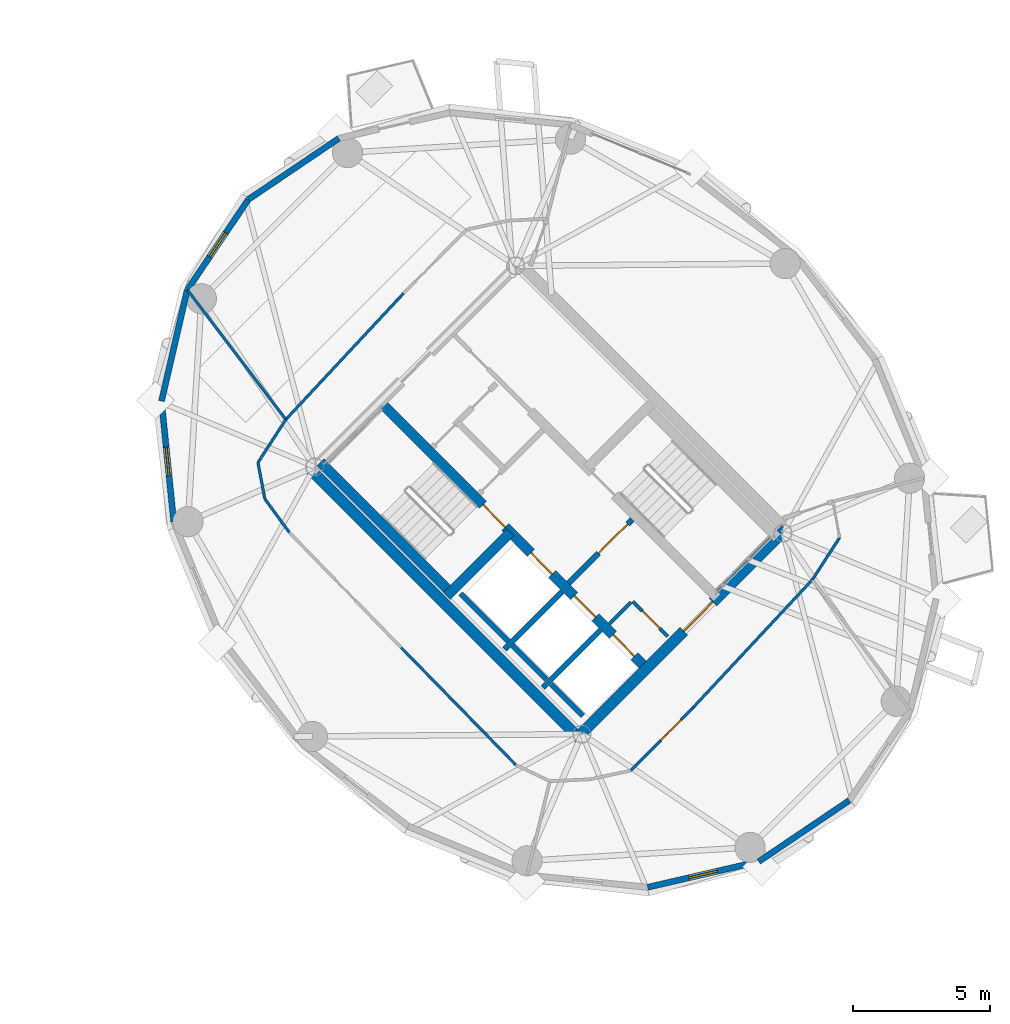
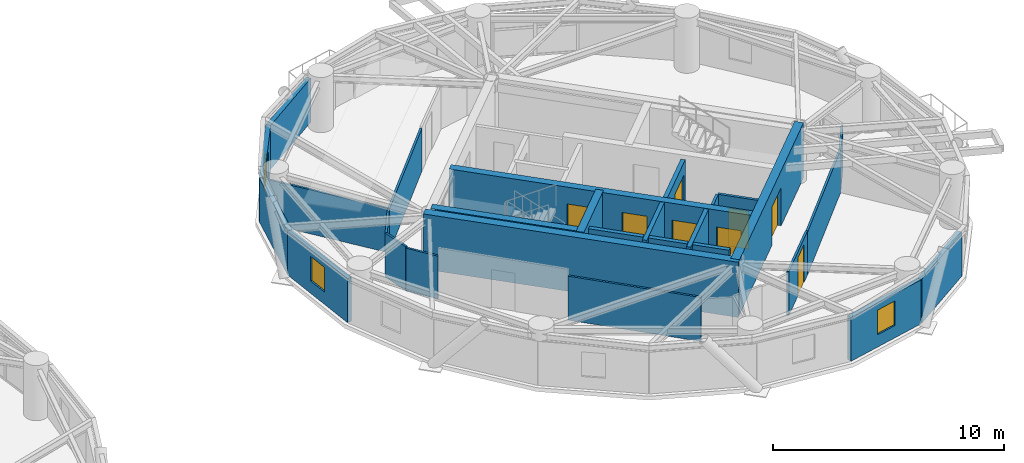
# One storey, part 11 of 16: 28 walls, 8 doors, 3 windows, 11 openings.
"""IFC4 building model written with IfcOpenShell, lengths in metres."""

from ifc_helpers import new_model, si_unit, direction, frame, frame_2d, origin, place, context, subcontext, project, spatial, rectangle, extrude, source, transform, mapped, material, layer, layer_set, type_object, element, fill, save


model = new_model("IFC4")

# Units and contexts
model_context = context("Model", 3, precision=1e-05, world=origin(), true_north=direction((0.0, 1.0)))
body_context = subcontext(model_context, "Body", "Model", "MODEL_VIEW")
ifc_project = project(units=[si_unit("LENGTHUNIT", "METRE"), si_unit("AREAUNIT", "SQUARE_METRE"), si_unit("VOLUMEUNIT", "CUBIC_METRE"), si_unit("PLANEANGLEUNIT", "RADIAN"), si_unit("MASSUNIT", "GRAM", prefix="KILO")], contexts=[model_context])

# Site, building, storey
site_placement = place(None, origin())
site = spatial("IfcSite", under=ifc_project, at=site_placement, CompositionType="ELEMENT")
building_placement = place(site_placement, origin())
building = spatial("IfcBuilding", under=site, at=building_placement, Name="Cununo Teusaquillo Station Towers", CompositionType="ELEMENT")
storey_placement = place(building_placement, frame((0.0, 0.0, 196.659912109375)))
storey = spatial("IfcBuildingStorey", under=building, at=storey_placement, Name="L62", CompositionType="ELEMENT", Elevation=196.659912109375)

# Walls
ifc_material_1 = material(Name="Concrete C50/60", Category="concrete")
ifc_layer_1 = layer(ifc_material_1, 0.199951171875)
ifc_layer_set_1 = layer_set([ifc_layer_1], Name="Concrete C50/60")
wall_type_1 = type_object("IfcWallType", Name="WL-CORE-200", PredefinedType="SHEAR", material=ifc_layer_set_1)
wall_1_placement = place(storey_placement, frame((55.8876953125, 19.0693359375, 0.0), z_axis=(0.0, 0.0, 1.0), x_axis=(0.707106781187, 0.707106781187, 0.0)))
element("IfcWall", 1, at=wall_1_placement, inside=storey, type_object=wall_type_1, Name="L62 Tower B Firefighting Lift Shaft South Shear Wall", PredefinedType="SHEAR", context=body_context, shape_type="SweptSolid", body=[
    extrude(rectangle(XDim=2.969970703125, YDim=0.199951171875, at=frame_2d((1.48486328125, 0.0))), origin(), (0.0, 0.0, 1.0), 2.91015625),
])
wall_2_placement = place(storey_placement, frame((56.01513671875, 19.366455078125, 0.0), z_axis=(0.0, 0.0, 1.0), x_axis=(-0.707106781187, 0.707106781187, 0.0)))
element("IfcWall", 2, at=wall_2_placement, inside=storey, type_object=wall_type_1, Name="L62 Tower B Firefighting Lift Shaft Rear Shear Wall", PredefinedType="SHEAR", context=body_context, shape_type="SweptSolid", body=[
    extrude(rectangle(XDim=2.43994140625, YDim=0.199951171875, at=frame_2d((1.219970703125, 0.0))), origin(), (0.0, 0.0, 1.0), 2.91015625),
])
wall_3_placement = place(storey_placement, frame((57.2841796875, 17.6728515625, 0.0), z_axis=(0.0, 0.0, 1.0), x_axis=(0.707147878904, 0.70706568108, 0.0)))
element("IfcWall", 3, at=wall_3_placement, inside=storey, type_object=wall_type_1, Name="L62 Tower B High-Rise Lift Hoistway Divider Shear Wall", PredefinedType="SHEAR", context=body_context, shape_type="SweptSolid", body=[
    extrude(rectangle(XDim=2.97021484375, YDim=0.199951171875, at=frame_2d((1.485107421875, 0.0))), origin(), (0.0, 0.0, 1.0), 2.91015625),
])
wall_4_placement = place(storey_placement, frame((57.41162109375, 17.969970703125, 0.0), z_axis=(0.0, 0.0, 1.0), x_axis=(-0.707106781187, 0.707106781187, 0.0)))
element("IfcWall", 4, at=wall_4_placement, inside=storey, type_object=wall_type_1, Name="L62 Tower B High-Rise Lift 2 Shaft Rear Shear Wall", PredefinedType="SHEAR", context=body_context, shape_type="SweptSolid", body=[
    extrude(rectangle(XDim=1.73486328125, YDim=0.199951171875, at=frame_2d((0.867431640625, 0.0))), origin(), (0.0, 0.0, 1.0), 2.91015625),
])
wall_5_placement = place(storey_placement, frame((58.7373046875, 16.64404296875, 0.0), z_axis=(0.0, 0.0, 1.0), x_axis=(-0.707032117043, 0.707181437447, 0.0)))
element("IfcWall", 5, at=wall_5_placement, inside=storey, type_object=wall_type_1, Name="L62 Tower B High-Rise Lift 1 Shaft Rear Shear Wall", PredefinedType="SHEAR", context=body_context, shape_type="SweptSolid", body=[
    extrude(rectangle(XDim=1.635009765625, YDim=0.199951171875, at=frame_2d((0.8173828125, 0.0))), origin(), (0.0, 0.0, 1.0), 2.91015625),
])

# Wall, openings, doors
ifc_material_2 = material(Name="Concrete C50/60", Category="concrete")
ifc_layer_2 = layer(ifc_material_2, 0.35009765625)
ifc_layer_set_2 = layer_set([ifc_layer_2], Name="Concrete C50/60")
wall_type_2 = type_object("IfcWallType", Name="WL-CORE-350", PredefinedType="SHEAR", material=ifc_layer_set_2)
wall_6_placement = place(storey_placement, frame((61.060302734375, 18.372802734375, 0.0), z_axis=(0.0, 0.0, 1.0), x_axis=(-0.707106781187, 0.707106781187, 0.0)))
wall_6 = element("IfcWall", 6, at=wall_6_placement, inside=storey, type_object=wall_type_2, Name="L62 Tower B Core Shear Wall IW", PredefinedType="SHEAR", context=body_context, shape_type="SweptSolid", body=[
    extrude(rectangle(XDim=13.7001953125, YDim=0.35009765625, at=frame_2d((6.85009765625, 0.0))), origin(), (0.0, 0.0, 1.0), 2.91015625),
])
shared_shape_1 = source(origin(), body_context, "Body", "SweptSolid", [
    extrude(rectangle(XDim=1.10009765625, YDim=2.014892578125, at=frame_2d((0.550048828125, 1.00732421875))), frame((0.0, 0.18505859375, 0.0), z_axis=(0.0, -1.0, 0.0), x_axis=(1.0, 0.0, 0.0)), (0.0, 0.0, 1.0), 0.3701171875),
])
opening_1_placement = place(wall_6_placement, frame((4.85009765625, 0.0, 0.0)))
opening_1 = element("IfcOpeningElement", 7, at=opening_1_placement, cuts=wall_6, Name="Opening LD-01", PredefinedType="OPENING", context=body_context, shape_type="MappedRepresentation", body=[
    mapped(shared_shape_1, transform((0.0, 0.0, 0.0), x_axis=(1.0, 0.0, 0.0), y_axis=(0.0, 1.0, 0.0), z_axis=(0.0, 0.0, 1.0), scale=1.0)),
])
opening_2_placement = place(wall_6_placement, frame((0.625, 0.0, 0.0)))
opening_2 = element("IfcOpeningElement", 8, at=opening_2_placement, cuts=wall_6, Name="Opening LD-01", PredefinedType="OPENING", context=body_context, shape_type="MappedRepresentation", body=[
    mapped(shared_shape_1, transform((0.0, 0.0, 0.0), x_axis=(1.0, 0.0, 0.0), y_axis=(0.0, 1.0, 0.0), z_axis=(0.0, 0.0, 1.0), scale=1.0)),
])
opening_3_placement = place(wall_6_placement, frame((2.625, 0.0, 0.0)))
opening_3 = element("IfcOpeningElement", 9, at=opening_3_placement, cuts=wall_6, Name="Opening LD-01", PredefinedType="OPENING", context=body_context, shape_type="MappedRepresentation", body=[
    mapped(shared_shape_1, transform((0.0, 0.0, 0.0), x_axis=(1.0, 0.0, 0.0), y_axis=(0.0, 1.0, 0.0), z_axis=(0.0, 0.0, 1.0), scale=1.0)),
])
shared_shape_2 = source(origin(), body_context, "Body", "SweptSolid", [
    extrude(rectangle(XDim=1.14990234375, YDim=2.02001953125, at=frame_2d((0.574951171875, 1.010009765625))), frame((0.0, 0.18505859375, 0.0), z_axis=(0.0, -1.0, 0.0), x_axis=(1.0, 0.0, 0.0)), (0.0, 0.0, 1.0), 0.3701171875),
])
opening_4_placement = place(wall_6_placement, frame((7.27001953125, 0.0, 0.0)))
opening_4 = element("IfcOpeningElement", 10, at=opening_4_placement, cuts=wall_6, Name="Opening D-ST1", PredefinedType="OPENING", context=body_context, shape_type="MappedRepresentation", body=[
    mapped(shared_shape_2, transform((0.0, 0.0, 0.0), x_axis=(1.0, 0.0, 0.0), y_axis=(0.0, 1.0, 0.0), z_axis=(0.0, 0.0, 1.0), scale=1.0)),
])
ifc_material_3 = material(Name="Galvanised fire-rated hollow steel door assembly", Category="steel")
door_type_1 = type_object("IfcDoorType", Name="DR-LIFT-1100", OperationType="SLIDING_TO_LEFT", PredefinedType="DOOR", material=ifc_material_3)
shared_shape_3 = source(origin(), body_context, "Body", "SweptSolid", [
    extrude(rectangle(XDim=1.10009765625, YDim=2.014892578125, at=frame_2d((0.550048828125, 1.00732421875))), frame((0.0, 0.02490234375, 0.0), z_axis=(0.0, -1.0, 0.0), x_axis=(1.0, 0.0, 0.0)), (0.0, 0.0, 1.0), 0.050048828125),
])
door_1_placement = place(opening_1_placement, origin())
door_1 = element("IfcDoor", 11, at=door_1_placement, inside=storey, type_object=door_type_1, Name="L62 Lift FL-T2 Sliding Landing Door", OperationType="SLIDING_TO_RIGHT", OverallHeight=2.014892578125, OverallWidth=1.10009765625, PredefinedType="DOOR", context=body_context, shape_type="MappedRepresentation", body=[
    mapped(shared_shape_3, transform((0.0, 0.0, 0.0), x_axis=(1.0, 0.0, 0.0), y_axis=(0.0, 1.0, 0.0), z_axis=(0.0, 0.0, 1.0), scale=1.0)),
])
fill(opening_1, door_1)
door_2_placement = place(opening_2_placement, origin())
door_2 = element("IfcDoor", 12, at=door_2_placement, inside=storey, type_object=door_type_1, Name="L62 Lift PL-T2-H1 Sliding Landing Door", OperationType="SLIDING_TO_RIGHT", OverallHeight=2.014892578125, OverallWidth=1.10009765625, PredefinedType="DOOR", context=body_context, shape_type="MappedRepresentation", body=[
    mapped(shared_shape_3, transform((0.0, 0.0, 0.0), x_axis=(1.0, 0.0, 0.0), y_axis=(0.0, 1.0, 0.0), z_axis=(0.0, 0.0, 1.0), scale=1.0)),
])
fill(opening_2, door_2)
door_3_placement = place(opening_3_placement, origin())
door_3 = element("IfcDoor", 13, at=door_3_placement, inside=storey, type_object=door_type_1, Name="L62 Lift PL-T2-H2 Sliding Landing Door", OperationType="SLIDING_TO_LEFT", OverallHeight=2.014892578125, OverallWidth=1.10009765625, PredefinedType="DOOR", context=body_context, shape_type="MappedRepresentation", body=[
    mapped(shared_shape_3, transform((0.0, 0.0, 0.0), x_axis=(1.0, 0.0, 0.0), y_axis=(0.0, 1.0, 0.0), z_axis=(0.0, 0.0, 1.0), scale=1.0)),
])
fill(opening_3, door_3)
ifc_material_4 = material(Name="Galvanised fire-rated hollow steel door assembly", Category="steel")
door_type_2 = type_object("IfcDoorType", Name="DR-STAIR-1150", OperationType="NOTDEFINED", PredefinedType="DOOR", material=ifc_material_4)
shared_shape_4 = source(origin(), body_context, "Body", "SweptSolid", [
    extrude(rectangle(XDim=1.14990234375, YDim=2.02001953125, at=frame_2d((0.574951171875, 1.010009765625))), frame((0.0, 0.02490234375, 0.0), z_axis=(0.0, -1.0, 0.0), x_axis=(1.0, 0.0, 0.0)), (0.0, 0.0, 1.0), 0.050048828125),
])
door_4_placement = place(opening_4_placement, origin())
door_4 = element("IfcDoor", 14, at=door_4_placement, inside=storey, type_object=door_type_2, Name="L62 Tower B Exit Stair 1 Fire Door", OperationType="SINGLE_SWING_LEFT", OverallHeight=2.02001953125, OverallWidth=1.14990234375, PredefinedType="DOOR", context=body_context, shape_type="MappedRepresentation", body=[
    mapped(shared_shape_4, transform((0.0, 0.0, 0.0), x_axis=(1.0, 0.0, 0.0), y_axis=(0.0, 1.0, 0.0), z_axis=(0.0, 0.0, 1.0), scale=1.0)),
])
fill(opening_4, door_4)

# Walls
wall_7_placement = place(storey_placement, frame((53.922119140625, 21.14111328125, 0.0), z_axis=(0.0, 0.0, 1.0), x_axis=(-0.707106781187, 0.707106781187, 0.0)))
element("IfcWall", 15, at=wall_7_placement, inside=storey, type_object=wall_type_2, Name="L62 Tower B Core Shear Wall ST1W", PredefinedType="SHEAR", context=body_context, shape_type="SweptSolid", body=[
    extrude(rectangle(XDim=6.695068359375, YDim=0.35009765625, at=frame_2d((3.34765625, 0.0))), origin(), (0.0, 0.0, 1.0), 2.91015625),
])
wall_8_placement = place(storey_placement, frame((53.7841796875, 21.00341796875, 0.0), z_axis=(0.0, 0.0, 1.0), x_axis=(0.707106781187, 0.707106781187, 0.0)))
element("IfcWall", 16, at=wall_8_placement, inside=storey, type_object=wall_type_2, Name="L62 Tower B Core Shear Wall ST1S", PredefinedType="SHEAR", context=body_context, shape_type="SweptSolid", body=[
    extrude(rectangle(XDim=3.284912109375, YDim=0.35009765625, at=frame_2d((1.642578125, 0.0))), origin(), (0.0, 0.0, 1.0), 2.91015625),
])
ifc_material_5 = material(Name="Concrete C50/60", Category="concrete")
ifc_layer_3 = layer(ifc_material_5, 0.39990234375)
ifc_layer_set_3 = layer_set([ifc_layer_3], Name="Concrete C50/60")
wall_type_3 = type_object("IfcWallType", Name="WL-CORE-400", PredefinedType="SHEAR", material=ifc_layer_set_3)
wall_9_placement = place(storey_placement, frame((58.7021484375, 15.73193359375, 0.0), z_axis=(0.0, 0.0, 1.0), x_axis=(-0.707106781187, 0.707106781187, 0.0)))
element("IfcWall", 17, at=wall_9_placement, inside=storey, type_object=wall_type_3, Name="L62 Tower B Core Shear Wall W", PredefinedType="SHEAR", context=body_context, shape_type="SweptSolid", body=[
    extrude(rectangle(XDim=14.10009765625, YDim=0.39990234375, at=frame_2d((7.050048828125, 0.0))), origin(), (0.0, 0.0, 1.0), 2.91015625),
])

# Wall, opening, door
wall_10_placement = place(storey_placement, frame((58.560791015625, 15.873291015625, 0.0), z_axis=(0.0, 0.0, 1.0), x_axis=(0.707106781187, 0.707106781187, 0.0)))
wall_10 = element("IfcWall", 18, at=wall_10_placement, inside=storey, type_object=wall_type_3, Name="L62 Tower B Core Shear Wall S", PredefinedType="SHEAR", context=body_context, shape_type="SweptSolid", body=[
    extrude(rectangle(XDim=10.69970703125, YDim=0.39990234375, at=frame_2d((5.349853515625, 0.0))), origin(), (0.0, 0.0, 1.0), 2.91015625),
])
shared_shape_5 = source(origin(), body_context, "Body", "SweptSolid", [
    extrude(rectangle(XDim=1.5, YDim=2.02001953125, at=frame_2d((0.75, 1.010009765625))), frame((0.0, 0.2099609375, 0.0), z_axis=(0.0, -1.0, 0.0), x_axis=(1.0, 0.0, 0.0)), (0.0, 0.0, 1.0), 0.419921875),
])
opening_5_placement = place(wall_10_placement, frame((5.449951171875, 0.0, 0.0)))
opening_5 = element("IfcOpeningElement", 19, at=opening_5_placement, cuts=wall_10, Name="Opening D-LB1", PredefinedType="OPENING", context=body_context, shape_type="MappedRepresentation", body=[
    mapped(shared_shape_5, transform((0.0, 0.0, 0.0), x_axis=(1.0, 0.0, 0.0), y_axis=(0.0, 1.0, 0.0), z_axis=(0.0, 0.0, 1.0), scale=1.0)),
])
ifc_material_6 = material(Name="Galvanised fire-rated hollow steel door assembly", Category="steel")
door_type_3 = type_object("IfcDoorType", Name="DR-LOBBY-1500", OperationType="DOUBLE_DOOR_SINGLE_SWING", PredefinedType="DOOR", material=ifc_material_6)
shared_shape_6 = source(origin(), body_context, "Body", "SweptSolid", [
    extrude(rectangle(XDim=1.5, YDim=2.02001953125, at=frame_2d((0.75, 1.010009765625))), frame((0.0, 0.02490234375, 0.0), z_axis=(0.0, -1.0, 0.0), x_axis=(1.0, 0.0, 0.0)), (0.0, 0.0, 1.0), 0.050048828125),
])
door_5_placement = place(opening_5_placement, origin())
door_5 = element("IfcDoor", 20, at=door_5_placement, inside=storey, type_object=door_type_3, Name="L62 Tower B South Core Lift Lobby Door", OperationType="DOUBLE_DOOR_SINGLE_SWING", OverallHeight=2.02001953125, OverallWidth=1.5, PredefinedType="DOOR", context=body_context, shape_type="MappedRepresentation", body=[
    mapped(shared_shape_6, transform((0.0, 0.0, 0.0), x_axis=(1.0, 0.0, 0.0), y_axis=(0.0, 1.0, 0.0), z_axis=(0.0, 0.0, 1.0), scale=1.0)),
])
fill(opening_5, door_5)

# Wall
ifc_material_7 = material(Name="Precast concrete C40/50", Category="concrete")
ifc_layer_4 = layer(ifc_material_7, 0.219970703125)
ifc_layer_set_4 = layer_set([ifc_layer_4], Name="Precast concrete C40/50")
wall_type_4 = type_object("IfcWallType", Name="WL-EXT-220", PredefinedType="SOLIDWALL", material=ifc_layer_set_4)
wall_11_placement = place(storey_placement, frame((46.56103515625, 35.43896484375, 0.0), z_axis=(0.0, 0.0, 1.0), x_axis=(0.828833723692, 0.559495003079, 0.0)))
element("IfcWall", 21, at=wall_11_placement, inside=storey, type_object=wall_type_4, Name="L62 Tower B Exterior Facade Wall C04", PredefinedType="SOLIDWALL", context=body_context, shape_type="SweptSolid", body=[
    extrude(rectangle(XDim=3.9755859375, YDim=0.219970703125, at=frame_2d((1.98779296875, 0.0))), origin(), (0.0, 0.0, 1.0), 2.322021484375),
])

# Wall, opening, window
wall_12_placement = place(storey_placement, frame((44.336669921875, 32.143798828125, 0.0), z_axis=(0.0, 0.0, 1.0), x_axis=(0.559495003079, 0.828833723692, 0.0)))
wall_12 = element("IfcWall", 22, at=wall_12_placement, inside=storey, type_object=wall_type_4, Name="L62 Tower B Exterior Facade Wall C05", PredefinedType="SOLIDWALL", context=body_context, shape_type="SweptSolid", body=[
    extrude(rectangle(XDim=3.9755859375, YDim=0.219970703125, at=frame_2d((1.98779296875, 0.0))), origin(), (0.0, 0.0, 1.0), 2.322021484375),
])
shared_shape_7 = source(origin(), body_context, "Body", "SweptSolid", [
    extrude(rectangle(XDim=1.050048828125, YDim=1.300048828125, at=frame_2d((0.52490234375, 0.64990234375))), frame((0.0, 0.119873046875, 0.0), z_axis=(0.0, -1.0, 0.0), x_axis=(1.0, 0.0, 0.0)), (0.0, 0.0, 1.0), 0.239990234375),
])
opening_6_placement = place(wall_12_placement, frame((1.462890625, 0.0, 0.64990234375)))
opening_6 = element("IfcOpeningElement", 23, at=opening_6_placement, cuts=wall_12, Name="Opening WN-04", PredefinedType="OPENING", context=body_context, shape_type="MappedRepresentation", body=[
    mapped(shared_shape_7, transform((0.0, 0.0, 0.0), x_axis=(1.0, 0.0, 0.0), y_axis=(0.0, 1.0, 0.0), z_axis=(0.0, 0.0, 1.0), scale=1.0)),
])
ifc_material_8 = material(Name="Operable acoustic tinted low-E double glazing", Category="glass")
window_type = type_object("IfcWindowType", Name="WIN-BAL-1050", PartitioningType="SINGLE_PANEL", PredefinedType="WINDOW", material=ifc_material_8)
shared_shape_8 = source(origin(), body_context, "Body", "SweptSolid", [
    extrude(rectangle(XDim=1.050048828125, YDim=1.300048828125, at=frame_2d((0.52490234375, 0.64990234375))), frame((0.0, 0.030029296875, 0.0), z_axis=(0.0, -1.0, 0.0), x_axis=(1.0, 0.0, 0.0)), (0.0, 0.0, 1.0), 0.06005859375),
])
window_1_placement = place(opening_6_placement, origin())
window_1 = element("IfcWindow", 24, at=window_1_placement, inside=storey, type_object=window_type, Name="L62 Tower B Facade Window C05", OverallHeight=1.300048828125, OverallWidth=1.050048828125, PartitioningType="SINGLE_PANEL", PredefinedType="WINDOW", context=body_context, shape_type="MappedRepresentation", body=[
    mapped(shared_shape_8, transform((0.0, 0.0, 0.0), x_axis=(1.0, 0.0, 0.0), y_axis=(0.0, 1.0, 0.0), z_axis=(0.0, 0.0, 1.0), scale=1.0)),
])
fill(opening_6, window_1)

# Wall
wall_13_placement = place(storey_placement, frame((43.40087890625, 28.100341796875, 0.0), z_axis=(0.0, 0.0, 1.0), x_axis=(0.225473813158, 0.974249228678, 0.0)))
element("IfcWall", 25, at=wall_13_placement, inside=storey, type_object=wall_type_4, Name="L62 Tower B Exterior Facade Wall C06", PredefinedType="SOLIDWALL", context=body_context, shape_type="SweptSolid", body=[
    extrude(rectangle(XDim=4.150390625, YDim=0.219970703125, at=frame_2d((2.0751953125, 0.0))), origin(), (0.0, 0.0, 1.0), 2.322021484375),
])

# Wall, opening, window
wall_14_placement = place(storey_placement, frame((43.84521484375, 23.70458984375, 0.0), z_axis=(0.0, 0.0, 1.0), x_axis=(-0.100570534541, 0.994929930991, 0.0)))
wall_14 = element("IfcWall", 26, at=wall_14_placement, inside=storey, type_object=wall_type_4, Name="L62 Tower B Exterior Facade Wall C07", PredefinedType="SOLIDWALL", context=body_context, shape_type="SweptSolid", body=[
    extrude(rectangle(XDim=4.418212890625, YDim=0.219970703125, at=frame_2d((2.208984375, 0.0))), origin(), (0.0, 0.0, 1.0), 2.322021484375),
])
opening_7_placement = place(wall_14_placement, frame((1.68408203125, 0.0, 0.64990234375)))
opening_7 = element("IfcOpeningElement", 27, at=opening_7_placement, cuts=wall_14, Name="Opening WN-04", PredefinedType="OPENING", context=body_context, shape_type="MappedRepresentation", body=[
    mapped(shared_shape_7, transform((0.0, 0.0, 0.0), x_axis=(1.0, 0.0, 0.0), y_axis=(0.0, 1.0, 0.0), z_axis=(0.0, 0.0, 1.0), scale=1.0)),
])
window_2_placement = place(opening_7_placement, origin())
window_2 = element("IfcWindow", 28, at=window_2_placement, inside=storey, type_object=window_type, Name="L62 Tower B Facade Window C07", OverallHeight=1.300048828125, OverallWidth=1.050048828125, PartitioningType="SINGLE_PANEL", PredefinedType="WINDOW", context=body_context, shape_type="MappedRepresentation", body=[
    mapped(shared_shape_8, transform((0.0, 0.0, 0.0), x_axis=(1.0, 0.0, 0.0), y_axis=(0.0, 1.0, 0.0), z_axis=(0.0, 0.0, 1.0), scale=1.0)),
])
fill(opening_7, window_2)

wall_15_placement = place(storey_placement, frame((65.143798828125, 11.336669921875, 0.0), z_axis=(0.0, 0.0, 1.0), x_axis=(-0.974249228678, -0.225473813158, 0.0)))
wall_15 = element("IfcWall", 29, at=wall_15_placement, inside=storey, type_object=wall_type_4, Name="L62 Tower B Exterior Facade Wall C13", PredefinedType="SOLIDWALL", context=body_context, shape_type="SweptSolid", body=[
    extrude(rectangle(XDim=4.150390625, YDim=0.219970703125, at=frame_2d((2.0751953125, 0.0))), origin(), (0.0, 0.0, 1.0), 2.322021484375),
])
opening_8_placement = place(wall_15_placement, frame((1.550048828125, 0.0, 0.64990234375)))
opening_8 = element("IfcOpeningElement", 30, at=opening_8_placement, cuts=wall_15, Name="Opening WN-04", PredefinedType="OPENING", context=body_context, shape_type="MappedRepresentation", body=[
    mapped(shared_shape_7, transform((0.0, 0.0, 0.0), x_axis=(1.0, 0.0, 0.0), y_axis=(0.0, 1.0, 0.0), z_axis=(0.0, 0.0, 1.0), scale=1.0)),
])
window_3_placement = place(opening_8_placement, origin())
window_3 = element("IfcWindow", 31, at=window_3_placement, inside=storey, type_object=window_type, Name="L62 Tower B Facade Window C13", OverallHeight=1.300048828125, OverallWidth=1.050048828125, PartitioningType="SINGLE_PANEL", PredefinedType="WINDOW", context=body_context, shape_type="MappedRepresentation", body=[
    mapped(shared_shape_8, transform((0.0, 0.0, 0.0), x_axis=(1.0, 0.0, 0.0), y_axis=(0.0, 1.0, 0.0), z_axis=(0.0, 0.0, 1.0), scale=1.0)),
])
fill(opening_8, window_3)

# Walls
wall_16_placement = place(storey_placement, frame((68.43896484375, 13.56103515625, 0.0), z_axis=(0.0, 0.0, 1.0), x_axis=(-0.828833723692, -0.559495003079, 0.0)))
element("IfcWall", 32, at=wall_16_placement, inside=storey, type_object=wall_type_4, Name="L62 Tower B Exterior Facade Wall C14", PredefinedType="SOLIDWALL", context=body_context, shape_type="SweptSolid", body=[
    extrude(rectangle(XDim=3.9755859375, YDim=0.219970703125, at=frame_2d((1.98779296875, 0.0))), origin(), (0.0, 0.0, 1.0), 2.322021484375),
])
ifc_material_9 = material(Name="Fire-rated gypsum plasterboard partition assembly", Category="gypsum")
ifc_layer_5 = layer(ifc_material_9, 0.10009765625)
ifc_layer_set_5 = layer_set([ifc_layer_5], Name="Fire-rated gypsum plasterboard partition assembly")
wall_type_5 = type_object("IfcWallType", Name="WL-PART-100", PredefinedType="MOVABLE", material=ifc_layer_set_5)
wall_17_placement = place(storey_placement, frame((52.21240234375, 32.0244140625, 0.0), z_axis=(0.0, 0.0, 1.0), x_axis=(-0.682158998173, -0.731203871169, 0.0)))
element("IfcWall", 33, at=wall_17_placement, inside=storey, type_object=wall_type_5, Name="L62 Tower B Corridor Ring Wall C05", PredefinedType="MOVABLE", context=body_context, shape_type="SweptSolid", body=[
    extrude(rectangle(XDim=6.2822265625, YDim=0.10009765625, at=frame_2d((3.14111328125, 0.0))), origin(), (0.0, 0.0, 1.0), 2.255126953125),
])
wall_18_placement = place(storey_placement, frame((47.927001953125, 27.430908203125, 0.0), z_axis=(0.0, 0.0, 1.0), x_axis=(-0.543126643356, -0.839650790077, 0.0)))
element("IfcWall", 34, at=wall_18_placement, inside=storey, type_object=wall_type_5, Name="L62 Tower B Corridor Ring Wall C06", PredefinedType="MOVABLE", context=body_context, shape_type="SweptSolid", body=[
    extrude(rectangle(XDim=1.8681640625, YDim=0.10009765625, at=frame_2d((0.93408203125, 0.0))), origin(), (0.0, 0.0, 1.0), 2.255126953125),
])
wall_19_placement = place(storey_placement, frame((46.912353515625, 25.8623046875, 0.0), z_axis=(0.0, 0.0, 1.0), x_axis=(0.186095172215, -0.98253172309, 0.0)))
element("IfcWall", 35, at=wall_19_placement, inside=storey, type_object=wall_type_5, Name="L62 Tower B Corridor Ring Wall C07", PredefinedType="MOVABLE", context=body_context, shape_type="SweptSolid", body=[
    extrude(rectangle(XDim=1.345947265625, YDim=0.10009765625, at=frame_2d((0.6728515625, 0.0))), origin(), (0.0, 0.0, 1.0), 2.322021484375),
])
wall_20_placement = place(storey_placement, frame((47.162841796875, 24.539794921875, 0.0), z_axis=(0.0, 0.0, 1.0), x_axis=(0.589711902124, -0.807613690135, 0.0)))
element("IfcWall", 36, at=wall_20_placement, inside=storey, type_object=wall_type_5, Name="L62 Tower B Corridor Ring Wall C08", PredefinedType="MOVABLE", context=body_context, shape_type="SweptSolid", body=[
    extrude(rectangle(XDim=1.507080078125, YDim=0.10009765625, at=frame_2d((0.75341796875, 0.0))), origin(), (0.0, 0.0, 1.0), 2.255126953125),
])
wall_21_placement = place(storey_placement, frame((52.1259765625, 19.1259765625, 0.0), z_axis=(0.0, 0.0, 1.0), x_axis=(0.698979087027, -0.715142108884, 0.0)))
element("IfcWall", 37, at=wall_21_placement, inside=storey, type_object=wall_type_5, Name="L62 Tower B Corridor Ring Wall C10", PredefinedType="MOVABLE", context=body_context, shape_type="SweptSolid", body=[
    extrude(rectangle(XDim=5.96630859375, YDim=0.10009765625, at=frame_2d((2.983154296875, 0.0))), origin(), (0.0, 0.0, 1.0), 2.322021484375),
])

# Wall, opening, door
wall_22_placement = place(storey_placement, frame((60.48388671875, 14.6484375, 0.0), z_axis=(0.0, 0.0, 1.0), x_axis=(0.703398221944, 0.710795991383, 0.0)))
wall_22 = element("IfcWall", 38, at=wall_22_placement, inside=storey, type_object=wall_type_5, Name="L62 Tower B Corridor Ring Wall C14", PredefinedType="MOVABLE", context=body_context, shape_type="SweptSolid", body=[
    extrude(rectangle(XDim=3.201171875, YDim=0.10009765625, at=frame_2d((1.6005859375, 0.0))), origin(), (0.0, 0.0, 1.0), 2.322021484375),
])
shared_shape_9 = source(origin(), body_context, "Body", "SweptSolid", [
    extrude(rectangle(XDim=1.050048828125, YDim=2.014892578125, at=frame_2d((0.52490234375, 1.00732421875))), frame((0.0, 0.06005859375, 0.0), z_axis=(0.0, -1.0, 0.0), x_axis=(1.0, 0.0, 0.0)), (0.0, 0.0, 1.0), 0.1201171875),
])
opening_9_placement = place(wall_22_placement, frame((1.553466796875, 0.0, 0.0)))
opening_9 = element("IfcOpeningElement", 39, at=opening_9_placement, cuts=wall_22, Name="Opening D-SU1", PredefinedType="OPENING", context=body_context, shape_type="MappedRepresentation", body=[
    mapped(shared_shape_9, transform((0.0, 0.0, 0.0), x_axis=(1.0, 0.0, 0.0), y_axis=(0.0, 1.0, 0.0), z_axis=(0.0, 0.0, 1.0), scale=1.0)),
])
ifc_material_10 = material(Name="Acoustic solid-core hardwood leaf assembly", Category="wood")
door_type_4 = type_object("IfcDoorType", Name="DR-SUITE-1050", OperationType="NOTDEFINED", PredefinedType="DOOR", material=ifc_material_10)
shared_shape_10 = source(origin(), body_context, "Body", "SweptSolid", [
    extrude(rectangle(XDim=1.050048828125, YDim=2.014892578125, at=frame_2d((0.52490234375, 1.00732421875))), frame((0.0, 0.02490234375, 0.0), z_axis=(0.0, -1.0, 0.0), x_axis=(1.0, 0.0, 0.0)), (0.0, 0.0, 1.0), 0.050048828125),
])
door_6_placement = place(opening_9_placement, origin())
door_6 = element("IfcDoor", 40, at=door_6_placement, inside=storey, type_object=door_type_4, Name="L62 Tower B Summit Client Reception Salon Entrance Door", OperationType="SINGLE_SWING_RIGHT", OverallHeight=2.014892578125, OverallWidth=1.050048828125, PredefinedType="DOOR", context=body_context, shape_type="MappedRepresentation", body=[
    mapped(shared_shape_10, transform((0.0, 0.0, 0.0), x_axis=(1.0, 0.0, 0.0), y_axis=(0.0, 1.0, 0.0), z_axis=(0.0, 0.0, 1.0), scale=1.0)),
])
fill(opening_9, door_6)

# Walls
wall_23_placement = place(storey_placement, frame((62.735595703125, 16.923828125, 0.0), z_axis=(0.0, 0.0, 1.0), x_axis=(0.681946700833, 0.731401871219, 0.0)))
element("IfcWall", 41, at=wall_23_placement, inside=storey, type_object=wall_type_5, Name="L62 Tower B Corridor Ring Wall C15", PredefinedType="MOVABLE", context=body_context, shape_type="SweptSolid", body=[
    extrude(rectangle(XDim=6.392822265625, YDim=0.10009765625, at=frame_2d((3.1962890625, 0.0))), origin(), (0.0, 0.0, 1.0), 2.255126953125),
])
wall_24_placement = place(storey_placement, frame((67.09521484375, 21.599609375, 0.0), z_axis=(0.0, 0.0, 1.0), x_axis=(0.543773190184, 0.839232219137, 0.0)))
element("IfcWall", 42, at=wall_24_placement, inside=storey, type_object=wall_type_5, Name="L62 Tower B Corridor Ring Wall C16", PredefinedType="MOVABLE", context=body_context, shape_type="SweptSolid", body=[
    extrude(rectangle(XDim=1.82275390625, YDim=0.10009765625, at=frame_2d((0.911376953125, 0.0))), origin(), (0.0, 0.0, 1.0), 2.255126953125),
])
wall_25_placement = place(storey_placement, frame((47.927001953125, 27.430908203125, 0.0), z_axis=(0.0, 0.0, 1.0), x_axis=(-0.604823333103, 0.796359677366, 0.0)))
element("IfcWall", 43, at=wall_25_placement, inside=storey, type_object=wall_type_5, Name="L62 Tower B Radial Suite Partition R02", PredefinedType="MOVABLE", context=body_context, shape_type="SweptSolid", body=[
    extrude(rectangle(XDim=5.90673828125, YDim=0.10009765625, at=frame_2d((2.953369140625, 0.0))), origin(), (0.0, 0.0, 1.0), 2.322021484375),
])

# Wall, opening, door
ifc_material_11 = material(Name="Fire-rated gypsum plasterboard partition assembly", Category="gypsum")
ifc_layer_6 = layer(ifc_material_11, 0.125)
ifc_layer_set_6 = layer_set([ifc_layer_6], Name="Fire-rated gypsum plasterboard partition assembly")
wall_type_6 = type_object("IfcWallType", Name="WL-PART-125", PredefinedType="PARTITIONING", material=ifc_layer_set_6)
wall_26_placement = place(storey_placement, frame((61.834716796875, 19.529052734375, 0.0), z_axis=(0.0, 0.0, 1.0), x_axis=(-0.707174592913, 0.707038962956, 0.0)))
wall_26 = element("IfcWall", 44, at=wall_26_placement, inside=storey, type_object=wall_type_6, Name="L62 Tower B South-West Compact Store East Wall", PredefinedType="PARTITIONING", context=body_context, shape_type="SweptSolid", body=[
    extrude(rectangle(XDim=1.800048828125, YDim=0.125, at=frame_2d((0.89990234375, 0.0))), origin(), (0.0, 0.0, 1.0), 2.68505859375),
])
shared_shape_11 = source(origin(), body_context, "Body", "SweptSolid", [
    extrude(rectangle(XDim=0.89990234375, YDim=2.0048828125, at=frame_2d((0.449951171875, 1.00244140625))), frame((0.0, 0.072509765625, 0.0), z_axis=(0.0, -1.0, 0.0), x_axis=(1.0, 0.0, 0.0)), (0.0, 0.0, 1.0), 0.14501953125),
])
opening_10_placement = place(wall_26_placement, frame((0.419921875, 0.0, 0.0)))
opening_10 = element("IfcOpeningElement", 45, at=opening_10_placement, cuts=wall_26, Name="Opening D-SR1", PredefinedType="OPENING", context=body_context, shape_type="MappedRepresentation", body=[
    mapped(shared_shape_11, transform((0.0, 0.0, 0.0), x_axis=(1.0, 0.0, 0.0), y_axis=(0.0, 1.0, 0.0), z_axis=(0.0, 0.0, 1.0), scale=1.0)),
])
ifc_material_12 = material(Name="Galvanised fire-rated hollow steel door assembly", Category="steel")
door_type_5 = type_object("IfcDoorType", Name="DR-STORE-900", OperationType="NOTDEFINED", PredefinedType="DOOR", material=ifc_material_12)
shared_shape_12 = source(origin(), body_context, "Body", "SweptSolid", [
    extrude(rectangle(XDim=0.89990234375, YDim=2.0048828125, at=frame_2d((0.449951171875, 1.00244140625))), frame((0.0, 0.02490234375, 0.0), z_axis=(0.0, -1.0, 0.0), x_axis=(1.0, 0.0, 0.0)), (0.0, 0.0, 1.0), 0.050048828125),
])
door_7_placement = place(opening_10_placement, origin())
door_7 = element("IfcDoor", 46, at=door_7_placement, inside=storey, type_object=door_type_5, Name="L62 Tower B Core Electrical & Comms Store Door", OperationType="SINGLE_SWING_LEFT", OverallHeight=2.0048828125, OverallWidth=0.89990234375, PredefinedType="DOOR", context=body_context, shape_type="MappedRepresentation", body=[
    mapped(shared_shape_12, transform((0.0, 0.0, 0.0), x_axis=(1.0, 0.0, 0.0), y_axis=(0.0, 1.0, 0.0), z_axis=(0.0, 0.0, 1.0), scale=1.0)),
])
fill(opening_10, door_7)

# Wall
wall_27_placement = place(storey_placement, frame((59.713134765625, 19.99560546875, 0.0), z_axis=(0.0, 0.0, 1.0), x_axis=(0.707217726, 0.706995818963, 0.0)))
element("IfcWall", 47, at=wall_27_placement, inside=storey, type_object=wall_type_6, Name="L62 Tower B South-West Compact Store North Wall", PredefinedType="PARTITIONING", context=body_context, shape_type="SweptSolid", body=[
    extrude(rectangle(XDim=1.10009765625, YDim=0.125, at=frame_2d((0.550048828125, 0.0))), origin(), (0.0, 0.0, 1.0), 2.68505859375),
])

# Wall, opening, door
ifc_material_13 = material(Name="Fire-rated gypsum plasterboard partition assembly", Category="gypsum")
ifc_layer_7 = layer(ifc_material_13, 0.199951171875)
ifc_layer_set_7 = layer_set([ifc_layer_7], Name="Fire-rated gypsum plasterboard partition assembly")
wall_type_7 = type_object("IfcWallType", Name="WL-PART-200", PredefinedType="PARTITIONING", material=ifc_layer_set_7)
wall_28_placement = place(storey_placement, frame((58.214111328125, 21.466552734375, 0.0), z_axis=(0.0, 0.0, 1.0), x_axis=(0.707106781187, 0.707106781187, 0.0)))
wall_28 = element("IfcWall", 48, at=wall_28_placement, inside=storey, type_object=wall_type_7, Name="L62 Tower B Firefighting Lift Lobby South Fire Wall", PredefinedType="PARTITIONING", context=body_context, shape_type="SweptSolid", body=[
    extrude(rectangle(XDim=3.280029296875, YDim=0.199951171875, at=frame_2d((1.64013671875, 0.0))), origin(), (0.0, 0.0, 1.0), 2.68505859375),
])
shared_shape_13 = source(origin(), body_context, "Body", "SweptSolid", [
    extrude(rectangle(XDim=1.5, YDim=2.02001953125, at=frame_2d((0.75, 1.010009765625))), frame((0.0, 0.10986328125, 0.0), z_axis=(0.0, -1.0, 0.0), x_axis=(1.0, 0.0, 0.0)), (0.0, 0.0, 1.0), 0.219970703125),
])
opening_11_placement = place(wall_28_placement, frame((1.550048828125, 0.0, 0.0)))
opening_11 = element("IfcOpeningElement", 49, at=opening_11_placement, cuts=wall_28, Name="Opening D-LB1", PredefinedType="OPENING", context=body_context, shape_type="MappedRepresentation", body=[
    mapped(shared_shape_13, transform((0.0, 0.0, 0.0), x_axis=(1.0, 0.0, 0.0), y_axis=(0.0, 1.0, 0.0), z_axis=(0.0, 0.0, 1.0), scale=1.0)),
])
door_8_placement = place(opening_11_placement, origin())
door_8 = element("IfcDoor", 50, at=door_8_placement, inside=storey, type_object=door_type_3, Name="L62 Tower B Firefighting Lift Lobby South Fire Door", OperationType="DOUBLE_DOOR_SINGLE_SWING", OverallHeight=2.02001953125, OverallWidth=1.5, PredefinedType="DOOR", context=body_context, shape_type="MappedRepresentation", body=[
    mapped(shared_shape_6, transform((0.0, 0.0, 0.0), x_axis=(1.0, 0.0, 0.0), y_axis=(0.0, 1.0, 0.0), z_axis=(0.0, 0.0, 1.0), scale=1.0)),
])
fill(opening_11, door_8)

save(model, "model.ifc")
